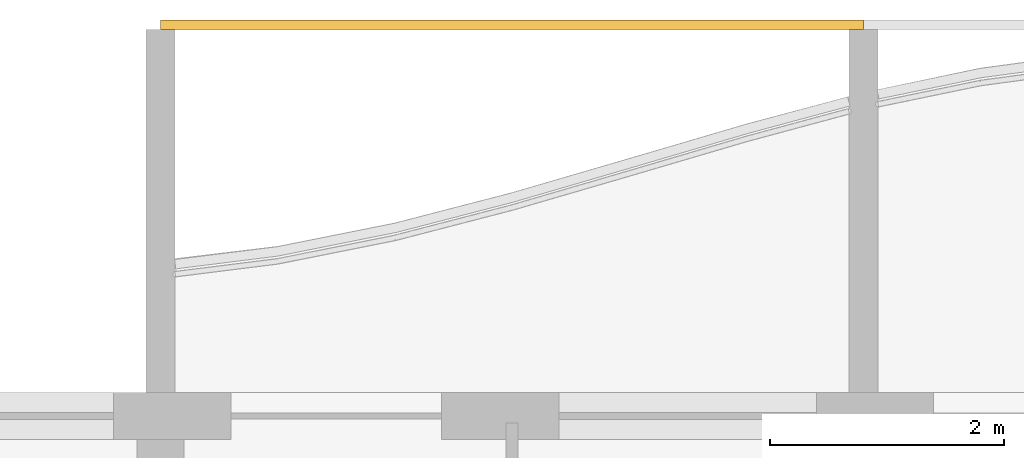
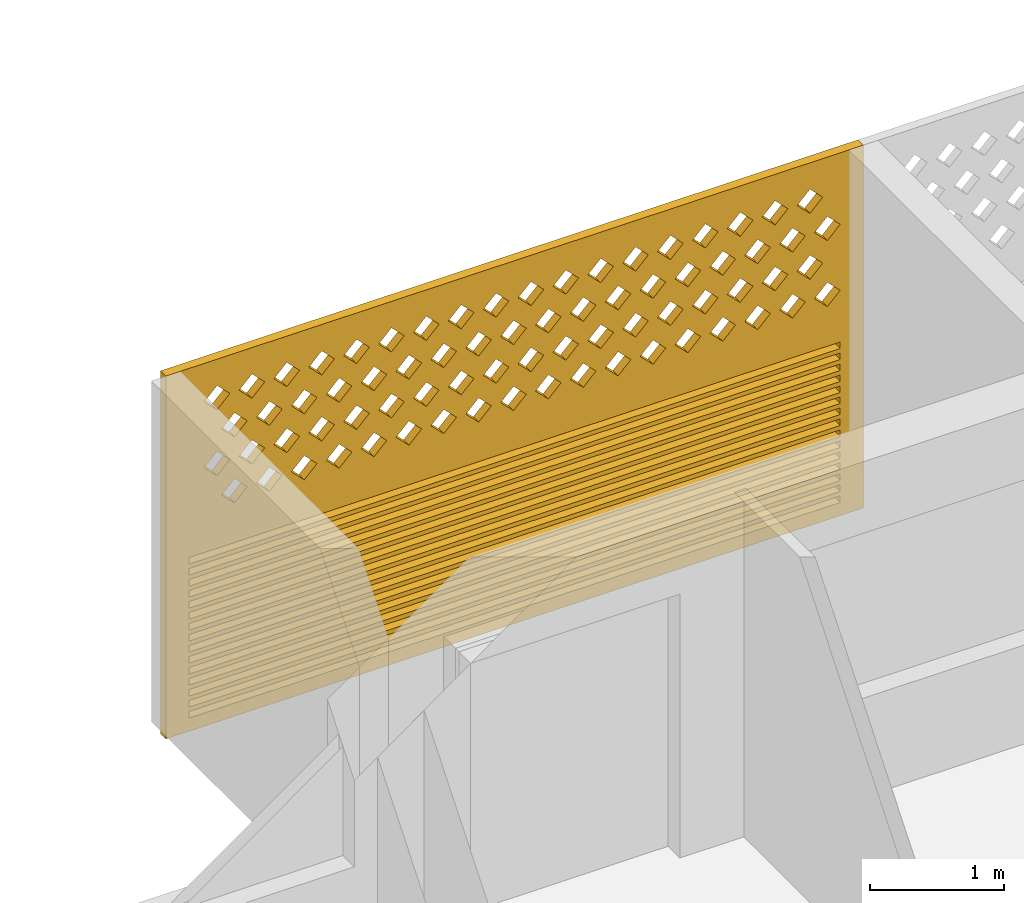
# One storey, part 26 of 39: 1 covering.
"""IFC4 building model written with IfcOpenShell, lengths in metres."""

from ifc_helpers import new_model, si_unit, direction, frame, origin, place, context, subcontext, project, spatial, polyline, outline, extrude, source, transform, mapped, material, material_profile, profile_set, type_object, element, save


model = new_model("IFC4")

# Units and contexts
model_context = context("Model", 3, precision=1e-05, world=origin(), true_north=direction((0.0, 1.0)))
body_context = subcontext(model_context, "Body", "Model", "MODEL_VIEW")
ifc_project = project(units=[si_unit("LENGTHUNIT", "METRE"), si_unit("AREAUNIT", "SQUARE_METRE"), si_unit("VOLUMEUNIT", "CUBIC_METRE"), si_unit("PLANEANGLEUNIT", "RADIAN"), si_unit("MASSUNIT", "GRAM", prefix="KILO")], contexts=[model_context])

# Site, building, storey
site_placement = place(None, origin())
site = spatial("IfcSite", under=ifc_project, at=site_placement, CompositionType="ELEMENT")
building_placement = place(site_placement, origin())
building = spatial("IfcBuilding", under=site, at=building_placement, Name="Poui Terraces", CompositionType="ELEMENT")
storey_placement = place(building_placement, frame((0.0, 0.0, 56.39990234375)))
storey = spatial("IfcBuildingStorey", under=building, at=storey_placement, Name="L15", CompositionType="ELEMENT", Elevation=56.39990234375)

# Covering
ifc_material = material(Name="Terracotta screen", Category="masonry")
ifc_material_profile = material_profile(ifc_material, outline(polyline([(-3.0, -1.64990234375), (3.0, -1.64990234375), (3.0, 1.64990234375), (-3.0, 1.64990234375), (-3.0, -1.64990234375)]), holes=[polyline([(-2.800048828125, 0.39990234375), (-2.68994140625, 0.2900390625), (-2.580078125, 0.39990234375), (-2.68994140625, 0.510009765625), (-2.800048828125, 0.39990234375)]), polyline([(-2.5, 0.39990234375), (-2.389892578125, 0.2900390625), (-2.280029296875, 0.39990234375), (-2.389892578125, 0.510009765625), (-2.5, 0.39990234375)]), polyline([(-2.199951171875, 0.39990234375), (-2.090087890625, 0.2900390625), (-1.97998046875, 0.39990234375), (-2.090087890625, 0.510009765625), (-2.199951171875, 0.39990234375)]), polyline([(-1.89990234375, 0.39990234375), (-1.7900390625, 0.2900390625), (-1.679931640625, 0.39990234375), (-1.7900390625, 0.510009765625), (-1.89990234375, 0.39990234375)]), polyline([(-1.60009765625, 0.39990234375), (-1.489990234375, 0.2900390625), (-1.3798828125, 0.39990234375), (-1.489990234375, 0.510009765625), (-1.60009765625, 0.39990234375)]), polyline([(-1.300048828125, 0.39990234375), (-1.18994140625, 0.2900390625), (-1.080078125, 0.39990234375), (-1.18994140625, 0.510009765625), (-1.300048828125, 0.39990234375)]), polyline([(-1.0, 0.39990234375), (-0.889892578125, 0.2900390625), (-0.780029296875, 0.39990234375), (-0.889892578125, 0.510009765625), (-1.0, 0.39990234375)]), polyline([(-0.699951171875, 0.39990234375), (-0.590087890625, 0.2900390625), (-0.47998046875, 0.39990234375), (-0.590087890625, 0.510009765625), (-0.699951171875, 0.39990234375)]), polyline([(-0.39990234375, 0.39990234375), (-0.2900390625, 0.2900390625), (-0.179931640625, 0.39990234375), (-0.2900390625, 0.510009765625), (-0.39990234375, 0.39990234375)]), polyline([(-0.10009765625, 0.39990234375), (0.010009765625, 0.2900390625), (0.1201171875, 0.39990234375), (0.010009765625, 0.510009765625), (-0.10009765625, 0.39990234375)]), polyline([(0.199951171875, 0.39990234375), (0.31005859375, 0.2900390625), (0.419921875, 0.39990234375), (0.31005859375, 0.510009765625), (0.199951171875, 0.39990234375)]), polyline([(0.5, 0.39990234375), (0.610107421875, 0.2900390625), (0.719970703125, 0.39990234375), (0.610107421875, 0.510009765625), (0.5, 0.39990234375)]), polyline([(0.800048828125, 0.39990234375), (0.909912109375, 0.2900390625), (1.02001953125, 0.39990234375), (0.909912109375, 0.510009765625), (0.800048828125, 0.39990234375)]), polyline([(1.10009765625, 0.39990234375), (1.2099609375, 0.2900390625), (1.320068359375, 0.39990234375), (1.2099609375, 0.510009765625), (1.10009765625, 0.39990234375)]), polyline([(1.39990234375, 0.39990234375), (1.510009765625, 0.2900390625), (1.6201171875, 0.39990234375), (1.510009765625, 0.510009765625), (1.39990234375, 0.39990234375)]), polyline([(1.699951171875, 0.39990234375), (1.81005859375, 0.2900390625), (1.919921875, 0.39990234375), (1.81005859375, 0.510009765625), (1.699951171875, 0.39990234375)]), polyline([(2.0, 0.39990234375), (2.110107421875, 0.2900390625), (2.219970703125, 0.39990234375), (2.110107421875, 0.510009765625), (2.0, 0.39990234375)]), polyline([(2.300048828125, 0.39990234375), (2.409912109375, 0.2900390625), (2.52001953125, 0.39990234375), (2.409912109375, 0.510009765625), (2.300048828125, 0.39990234375)]), polyline([(-2.64990234375, 0.699951171875), (-2.5400390625, 0.590087890625), (-2.429931640625, 0.699951171875), (-2.5400390625, 0.81005859375), (-2.64990234375, 0.699951171875)]), polyline([(-2.35009765625, 0.699951171875), (-2.239990234375, 0.590087890625), (-2.1298828125, 0.699951171875), (-2.239990234375, 0.81005859375), (-2.35009765625, 0.699951171875)]), polyline([(-2.050048828125, 0.699951171875), (-1.93994140625, 0.590087890625), (-1.830078125, 0.699951171875), (-1.93994140625, 0.81005859375), (-2.050048828125, 0.699951171875)]), polyline([(-1.75, 0.699951171875), (-1.639892578125, 0.590087890625), (-1.530029296875, 0.699951171875), (-1.639892578125, 0.81005859375), (-1.75, 0.699951171875)]), polyline([(-1.449951171875, 0.699951171875), (-1.340087890625, 0.590087890625), (-1.22998046875, 0.699951171875), (-1.340087890625, 0.81005859375), (-1.449951171875, 0.699951171875)]), polyline([(-1.14990234375, 0.699951171875), (-1.0400390625, 0.590087890625), (-0.929931640625, 0.699951171875), (-1.0400390625, 0.81005859375), (-1.14990234375, 0.699951171875)]), polyline([(-0.85009765625, 0.699951171875), (-0.739990234375, 0.590087890625), (-0.6298828125, 0.699951171875), (-0.739990234375, 0.81005859375), (-0.85009765625, 0.699951171875)]), polyline([(-0.550048828125, 0.699951171875), (-0.43994140625, 0.590087890625), (-0.330078125, 0.699951171875), (-0.43994140625, 0.81005859375), (-0.550048828125, 0.699951171875)]), polyline([(-0.25, 0.699951171875), (-0.139892578125, 0.590087890625), (-0.030029296875, 0.699951171875), (-0.139892578125, 0.81005859375), (-0.25, 0.699951171875)]), polyline([(0.050048828125, 0.699951171875), (0.159912109375, 0.590087890625), (0.27001953125, 0.699951171875), (0.159912109375, 0.81005859375), (0.050048828125, 0.699951171875)]), polyline([(0.35009765625, 0.699951171875), (0.4599609375, 0.590087890625), (0.570068359375, 0.699951171875), (0.4599609375, 0.81005859375), (0.35009765625, 0.699951171875)]), polyline([(0.64990234375, 0.699951171875), (0.760009765625, 0.590087890625), (0.8701171875, 0.699951171875), (0.760009765625, 0.81005859375), (0.64990234375, 0.699951171875)]), polyline([(0.949951171875, 0.699951171875), (1.06005859375, 0.590087890625), (1.169921875, 0.699951171875), (1.06005859375, 0.81005859375), (0.949951171875, 0.699951171875)]), polyline([(1.25, 0.699951171875), (1.360107421875, 0.590087890625), (1.469970703125, 0.699951171875), (1.360107421875, 0.81005859375), (1.25, 0.699951171875)]), polyline([(1.550048828125, 0.699951171875), (1.659912109375, 0.590087890625), (1.77001953125, 0.699951171875), (1.659912109375, 0.81005859375), (1.550048828125, 0.699951171875)]), polyline([(1.85009765625, 0.699951171875), (1.9599609375, 0.590087890625), (2.070068359375, 0.699951171875), (1.9599609375, 0.81005859375), (1.85009765625, 0.699951171875)]), polyline([(2.14990234375, 0.699951171875), (2.260009765625, 0.590087890625), (2.3701171875, 0.699951171875), (2.260009765625, 0.81005859375), (2.14990234375, 0.699951171875)]), polyline([(2.449951171875, 0.699951171875), (2.56005859375, 0.590087890625), (2.669921875, 0.699951171875), (2.56005859375, 0.81005859375), (2.449951171875, 0.699951171875)]), polyline([(-2.800048828125, 1.0), (-2.68994140625, 0.889892578125), (-2.580078125, 1.0), (-2.68994140625, 1.110107421875), (-2.800048828125, 1.0)]), polyline([(-2.5, 1.0), (-2.389892578125, 0.889892578125), (-2.280029296875, 1.0), (-2.389892578125, 1.110107421875), (-2.5, 1.0)]), polyline([(-2.199951171875, 1.0), (-2.090087890625, 0.889892578125), (-1.97998046875, 1.0), (-2.090087890625, 1.110107421875), (-2.199951171875, 1.0)]), polyline([(-1.89990234375, 1.0), (-1.7900390625, 0.889892578125), (-1.679931640625, 1.0), (-1.7900390625, 1.110107421875), (-1.89990234375, 1.0)]), polyline([(-1.60009765625, 1.0), (-1.489990234375, 0.889892578125), (-1.3798828125, 1.0), (-1.489990234375, 1.110107421875), (-1.60009765625, 1.0)]), polyline([(-1.300048828125, 1.0), (-1.18994140625, 0.889892578125), (-1.080078125, 1.0), (-1.18994140625, 1.110107421875), (-1.300048828125, 1.0)]), polyline([(-1.0, 1.0), (-0.889892578125, 0.889892578125), (-0.780029296875, 1.0), (-0.889892578125, 1.110107421875), (-1.0, 1.0)]), polyline([(-0.699951171875, 1.0), (-0.590087890625, 0.889892578125), (-0.47998046875, 1.0), (-0.590087890625, 1.110107421875), (-0.699951171875, 1.0)]), polyline([(-0.39990234375, 1.0), (-0.2900390625, 0.889892578125), (-0.179931640625, 1.0), (-0.2900390625, 1.110107421875), (-0.39990234375, 1.0)]), polyline([(-0.10009765625, 1.0), (0.010009765625, 0.889892578125), (0.1201171875, 1.0), (0.010009765625, 1.110107421875), (-0.10009765625, 1.0)]), polyline([(0.199951171875, 1.0), (0.31005859375, 0.889892578125), (0.419921875, 1.0), (0.31005859375, 1.110107421875), (0.199951171875, 1.0)]), polyline([(0.5, 1.0), (0.610107421875, 0.889892578125), (0.719970703125, 1.0), (0.610107421875, 1.110107421875), (0.5, 1.0)]), polyline([(0.800048828125, 1.0), (0.909912109375, 0.889892578125), (1.02001953125, 1.0), (0.909912109375, 1.110107421875), (0.800048828125, 1.0)]), polyline([(1.10009765625, 1.0), (1.2099609375, 0.889892578125), (1.320068359375, 1.0), (1.2099609375, 1.110107421875), (1.10009765625, 1.0)]), polyline([(1.39990234375, 1.0), (1.510009765625, 0.889892578125), (1.6201171875, 1.0), (1.510009765625, 1.110107421875), (1.39990234375, 1.0)]), polyline([(1.699951171875, 1.0), (1.81005859375, 0.889892578125), (1.919921875, 1.0), (1.81005859375, 1.110107421875), (1.699951171875, 1.0)]), polyline([(2.0, 1.0), (2.110107421875, 0.889892578125), (2.219970703125, 1.0), (2.110107421875, 1.110107421875), (2.0, 1.0)]), polyline([(2.300048828125, 1.0), (2.409912109375, 0.889892578125), (2.52001953125, 1.0), (2.409912109375, 1.110107421875), (2.300048828125, 1.0)]), polyline([(-2.64990234375, 1.300048828125), (-2.5400390625, 1.18994140625), (-2.429931640625, 1.300048828125), (-2.5400390625, 1.409912109375), (-2.64990234375, 1.300048828125)]), polyline([(-2.35009765625, 1.300048828125), (-2.239990234375, 1.18994140625), (-2.1298828125, 1.300048828125), (-2.239990234375, 1.409912109375), (-2.35009765625, 1.300048828125)]), polyline([(-2.050048828125, 1.300048828125), (-1.93994140625, 1.18994140625), (-1.830078125, 1.300048828125), (-1.93994140625, 1.409912109375), (-2.050048828125, 1.300048828125)]), polyline([(-1.75, 1.300048828125), (-1.639892578125, 1.18994140625), (-1.530029296875, 1.300048828125), (-1.639892578125, 1.409912109375), (-1.75, 1.300048828125)]), polyline([(-1.449951171875, 1.300048828125), (-1.340087890625, 1.18994140625), (-1.22998046875, 1.300048828125), (-1.340087890625, 1.409912109375), (-1.449951171875, 1.300048828125)]), polyline([(-1.14990234375, 1.300048828125), (-1.0400390625, 1.18994140625), (-0.929931640625, 1.300048828125), (-1.0400390625, 1.409912109375), (-1.14990234375, 1.300048828125)]), polyline([(-0.85009765625, 1.300048828125), (-0.739990234375, 1.18994140625), (-0.6298828125, 1.300048828125), (-0.739990234375, 1.409912109375), (-0.85009765625, 1.300048828125)]), polyline([(-0.550048828125, 1.300048828125), (-0.43994140625, 1.18994140625), (-0.330078125, 1.300048828125), (-0.43994140625, 1.409912109375), (-0.550048828125, 1.300048828125)]), polyline([(-0.25, 1.300048828125), (-0.139892578125, 1.18994140625), (-0.030029296875, 1.300048828125), (-0.139892578125, 1.409912109375), (-0.25, 1.300048828125)]), polyline([(0.050048828125, 1.300048828125), (0.159912109375, 1.18994140625), (0.27001953125, 1.300048828125), (0.159912109375, 1.409912109375), (0.050048828125, 1.300048828125)]), polyline([(0.35009765625, 1.300048828125), (0.4599609375, 1.18994140625), (0.570068359375, 1.300048828125), (0.4599609375, 1.409912109375), (0.35009765625, 1.300048828125)]), polyline([(0.64990234375, 1.300048828125), (0.760009765625, 1.18994140625), (0.8701171875, 1.300048828125), (0.760009765625, 1.409912109375), (0.64990234375, 1.300048828125)]), polyline([(0.949951171875, 1.300048828125), (1.06005859375, 1.18994140625), (1.169921875, 1.300048828125), (1.06005859375, 1.409912109375), (0.949951171875, 1.300048828125)]), polyline([(1.25, 1.300048828125), (1.360107421875, 1.18994140625), (1.469970703125, 1.300048828125), (1.360107421875, 1.409912109375), (1.25, 1.300048828125)]), polyline([(1.550048828125, 1.300048828125), (1.659912109375, 1.18994140625), (1.77001953125, 1.300048828125), (1.659912109375, 1.409912109375), (1.550048828125, 1.300048828125)]), polyline([(1.85009765625, 1.300048828125), (1.9599609375, 1.18994140625), (2.070068359375, 1.300048828125), (1.9599609375, 1.409912109375), (1.85009765625, 1.300048828125)]), polyline([(2.14990234375, 1.300048828125), (2.260009765625, 1.18994140625), (2.3701171875, 1.300048828125), (2.260009765625, 1.409912109375), (2.14990234375, 1.300048828125)]), polyline([(2.449951171875, 1.300048828125), (2.56005859375, 1.18994140625), (2.669921875, 1.300048828125), (2.56005859375, 1.409912109375), (2.449951171875, 1.300048828125)]), polyline([(-2.800048828125, -1.530029296875), (2.800048828125, -1.530029296875), (2.800048828125, -1.469970703125), (-2.800048828125, -1.469970703125), (-2.800048828125, -1.530029296875)]), polyline([(-2.800048828125, -1.429931640625), (2.800048828125, -1.429931640625), (2.800048828125, -1.3701171875), (-2.800048828125, -1.3701171875), (-2.800048828125, -1.429931640625)]), polyline([(-2.800048828125, -1.330078125), (2.800048828125, -1.330078125), (2.800048828125, -1.27001953125), (-2.800048828125, -1.27001953125), (-2.800048828125, -1.330078125)]), polyline([(-2.800048828125, -1.22998046875), (2.800048828125, -1.22998046875), (2.800048828125, -1.169921875), (-2.800048828125, -1.169921875), (-2.800048828125, -1.22998046875)]), polyline([(-2.800048828125, -1.1298828125), (2.800048828125, -1.1298828125), (2.800048828125, -1.070068359375), (-2.800048828125, -1.070068359375), (-2.800048828125, -1.1298828125)]), polyline([(-2.800048828125, -1.030029296875), (2.800048828125, -1.030029296875), (2.800048828125, -0.969970703125), (-2.800048828125, -0.969970703125), (-2.800048828125, -1.030029296875)]), polyline([(-2.800048828125, -0.929931640625), (2.800048828125, -0.929931640625), (2.800048828125, -0.8701171875), (-2.800048828125, -0.8701171875), (-2.800048828125, -0.929931640625)]), polyline([(-2.800048828125, -0.830078125), (2.800048828125, -0.830078125), (2.800048828125, -0.77001953125), (-2.800048828125, -0.77001953125), (-2.800048828125, -0.830078125)]), polyline([(-2.800048828125, -0.72998046875), (2.800048828125, -0.72998046875), (2.800048828125, -0.669921875), (-2.800048828125, -0.669921875), (-2.800048828125, -0.72998046875)]), polyline([(-2.800048828125, -0.6298828125), (2.800048828125, -0.6298828125), (2.800048828125, -0.570068359375), (-2.800048828125, -0.570068359375), (-2.800048828125, -0.6298828125)]), polyline([(-2.800048828125, -0.530029296875), (2.800048828125, -0.530029296875), (2.800048828125, -0.469970703125), (-2.800048828125, -0.469970703125), (-2.800048828125, -0.530029296875)]), polyline([(-2.800048828125, -0.429931640625), (2.800048828125, -0.429931640625), (2.800048828125, -0.3701171875), (-2.800048828125, -0.3701171875), (-2.800048828125, -0.429931640625)]), polyline([(-2.800048828125, -0.330078125), (2.800048828125, -0.330078125), (2.800048828125, -0.27001953125), (-2.800048828125, -0.27001953125), (-2.800048828125, -0.330078125)]), polyline([(-2.800048828125, -0.22998046875), (2.800048828125, -0.22998046875), (2.800048828125, -0.169921875), (-2.800048828125, -0.169921875), (-2.800048828125, -0.22998046875)]), polyline([(-2.800048828125, -0.1298828125), (2.800048828125, -0.1298828125), (2.800048828125, -0.070068359375), (-2.800048828125, -0.070068359375), (-2.800048828125, -0.1298828125)])]), Name="TERRACOTTA SCREEN AND JALOUSIE LOUVRE 6000X3300")
ifc_profile_set = profile_set([ifc_material_profile], Name="Terracotta screen")
covering_type = type_object("IfcCoveringType", Name="TERRACOTTA SCREEN AND JALOUSIE LOUVRE 6000X3300", PredefinedType="CLADDING", material=ifc_profile_set)
shared_shape = source(origin(), body_context, "Body", "SweptSolid", [
    extrude(outline(polyline([(-3.0, -1.64990234375), (3.0, -1.64990234375), (3.0, 1.64990234375), (-3.0, 1.64990234375), (-3.0, -1.64990234375)]), holes=[polyline([(-2.800048828125, 0.39990234375), (-2.68994140625, 0.2900390625), (-2.580078125, 0.39990234375), (-2.68994140625, 0.510009765625), (-2.800048828125, 0.39990234375)]), polyline([(-2.5, 0.39990234375), (-2.389892578125, 0.2900390625), (-2.280029296875, 0.39990234375), (-2.389892578125, 0.510009765625), (-2.5, 0.39990234375)]), polyline([(-2.199951171875, 0.39990234375), (-2.090087890625, 0.2900390625), (-1.97998046875, 0.39990234375), (-2.090087890625, 0.510009765625), (-2.199951171875, 0.39990234375)]), polyline([(-1.89990234375, 0.39990234375), (-1.7900390625, 0.2900390625), (-1.679931640625, 0.39990234375), (-1.7900390625, 0.510009765625), (-1.89990234375, 0.39990234375)]), polyline([(-1.60009765625, 0.39990234375), (-1.489990234375, 0.2900390625), (-1.3798828125, 0.39990234375), (-1.489990234375, 0.510009765625), (-1.60009765625, 0.39990234375)]), polyline([(-1.300048828125, 0.39990234375), (-1.18994140625, 0.2900390625), (-1.080078125, 0.39990234375), (-1.18994140625, 0.510009765625), (-1.300048828125, 0.39990234375)]), polyline([(-1.0, 0.39990234375), (-0.889892578125, 0.2900390625), (-0.780029296875, 0.39990234375), (-0.889892578125, 0.510009765625), (-1.0, 0.39990234375)]), polyline([(-0.699951171875, 0.39990234375), (-0.590087890625, 0.2900390625), (-0.47998046875, 0.39990234375), (-0.590087890625, 0.510009765625), (-0.699951171875, 0.39990234375)]), polyline([(-0.39990234375, 0.39990234375), (-0.2900390625, 0.2900390625), (-0.179931640625, 0.39990234375), (-0.2900390625, 0.510009765625), (-0.39990234375, 0.39990234375)]), polyline([(-0.10009765625, 0.39990234375), (0.010009765625, 0.2900390625), (0.1201171875, 0.39990234375), (0.010009765625, 0.510009765625), (-0.10009765625, 0.39990234375)]), polyline([(0.199951171875, 0.39990234375), (0.31005859375, 0.2900390625), (0.419921875, 0.39990234375), (0.31005859375, 0.510009765625), (0.199951171875, 0.39990234375)]), polyline([(0.5, 0.39990234375), (0.610107421875, 0.2900390625), (0.719970703125, 0.39990234375), (0.610107421875, 0.510009765625), (0.5, 0.39990234375)]), polyline([(0.800048828125, 0.39990234375), (0.909912109375, 0.2900390625), (1.02001953125, 0.39990234375), (0.909912109375, 0.510009765625), (0.800048828125, 0.39990234375)]), polyline([(1.10009765625, 0.39990234375), (1.2099609375, 0.2900390625), (1.320068359375, 0.39990234375), (1.2099609375, 0.510009765625), (1.10009765625, 0.39990234375)]), polyline([(1.39990234375, 0.39990234375), (1.510009765625, 0.2900390625), (1.6201171875, 0.39990234375), (1.510009765625, 0.510009765625), (1.39990234375, 0.39990234375)]), polyline([(1.699951171875, 0.39990234375), (1.81005859375, 0.2900390625), (1.919921875, 0.39990234375), (1.81005859375, 0.510009765625), (1.699951171875, 0.39990234375)]), polyline([(2.0, 0.39990234375), (2.110107421875, 0.2900390625), (2.219970703125, 0.39990234375), (2.110107421875, 0.510009765625), (2.0, 0.39990234375)]), polyline([(2.300048828125, 0.39990234375), (2.409912109375, 0.2900390625), (2.52001953125, 0.39990234375), (2.409912109375, 0.510009765625), (2.300048828125, 0.39990234375)]), polyline([(-2.64990234375, 0.699951171875), (-2.5400390625, 0.590087890625), (-2.429931640625, 0.699951171875), (-2.5400390625, 0.81005859375), (-2.64990234375, 0.699951171875)]), polyline([(-2.35009765625, 0.699951171875), (-2.239990234375, 0.590087890625), (-2.1298828125, 0.699951171875), (-2.239990234375, 0.81005859375), (-2.35009765625, 0.699951171875)]), polyline([(-2.050048828125, 0.699951171875), (-1.93994140625, 0.590087890625), (-1.830078125, 0.699951171875), (-1.93994140625, 0.81005859375), (-2.050048828125, 0.699951171875)]), polyline([(-1.75, 0.699951171875), (-1.639892578125, 0.590087890625), (-1.530029296875, 0.699951171875), (-1.639892578125, 0.81005859375), (-1.75, 0.699951171875)]), polyline([(-1.449951171875, 0.699951171875), (-1.340087890625, 0.590087890625), (-1.22998046875, 0.699951171875), (-1.340087890625, 0.81005859375), (-1.449951171875, 0.699951171875)]), polyline([(-1.14990234375, 0.699951171875), (-1.0400390625, 0.590087890625), (-0.929931640625, 0.699951171875), (-1.0400390625, 0.81005859375), (-1.14990234375, 0.699951171875)]), polyline([(-0.85009765625, 0.699951171875), (-0.739990234375, 0.590087890625), (-0.6298828125, 0.699951171875), (-0.739990234375, 0.81005859375), (-0.85009765625, 0.699951171875)]), polyline([(-0.550048828125, 0.699951171875), (-0.43994140625, 0.590087890625), (-0.330078125, 0.699951171875), (-0.43994140625, 0.81005859375), (-0.550048828125, 0.699951171875)]), polyline([(-0.25, 0.699951171875), (-0.139892578125, 0.590087890625), (-0.030029296875, 0.699951171875), (-0.139892578125, 0.81005859375), (-0.25, 0.699951171875)]), polyline([(0.050048828125, 0.699951171875), (0.159912109375, 0.590087890625), (0.27001953125, 0.699951171875), (0.159912109375, 0.81005859375), (0.050048828125, 0.699951171875)]), polyline([(0.35009765625, 0.699951171875), (0.4599609375, 0.590087890625), (0.570068359375, 0.699951171875), (0.4599609375, 0.81005859375), (0.35009765625, 0.699951171875)]), polyline([(0.64990234375, 0.699951171875), (0.760009765625, 0.590087890625), (0.8701171875, 0.699951171875), (0.760009765625, 0.81005859375), (0.64990234375, 0.699951171875)]), polyline([(0.949951171875, 0.699951171875), (1.06005859375, 0.590087890625), (1.169921875, 0.699951171875), (1.06005859375, 0.81005859375), (0.949951171875, 0.699951171875)]), polyline([(1.25, 0.699951171875), (1.360107421875, 0.590087890625), (1.469970703125, 0.699951171875), (1.360107421875, 0.81005859375), (1.25, 0.699951171875)]), polyline([(1.550048828125, 0.699951171875), (1.659912109375, 0.590087890625), (1.77001953125, 0.699951171875), (1.659912109375, 0.81005859375), (1.550048828125, 0.699951171875)]), polyline([(1.85009765625, 0.699951171875), (1.9599609375, 0.590087890625), (2.070068359375, 0.699951171875), (1.9599609375, 0.81005859375), (1.85009765625, 0.699951171875)]), polyline([(2.14990234375, 0.699951171875), (2.260009765625, 0.590087890625), (2.3701171875, 0.699951171875), (2.260009765625, 0.81005859375), (2.14990234375, 0.699951171875)]), polyline([(2.449951171875, 0.699951171875), (2.56005859375, 0.590087890625), (2.669921875, 0.699951171875), (2.56005859375, 0.81005859375), (2.449951171875, 0.699951171875)]), polyline([(-2.800048828125, 1.0), (-2.68994140625, 0.889892578125), (-2.580078125, 1.0), (-2.68994140625, 1.110107421875), (-2.800048828125, 1.0)]), polyline([(-2.5, 1.0), (-2.389892578125, 0.889892578125), (-2.280029296875, 1.0), (-2.389892578125, 1.110107421875), (-2.5, 1.0)]), polyline([(-2.199951171875, 1.0), (-2.090087890625, 0.889892578125), (-1.97998046875, 1.0), (-2.090087890625, 1.110107421875), (-2.199951171875, 1.0)]), polyline([(-1.89990234375, 1.0), (-1.7900390625, 0.889892578125), (-1.679931640625, 1.0), (-1.7900390625, 1.110107421875), (-1.89990234375, 1.0)]), polyline([(-1.60009765625, 1.0), (-1.489990234375, 0.889892578125), (-1.3798828125, 1.0), (-1.489990234375, 1.110107421875), (-1.60009765625, 1.0)]), polyline([(-1.300048828125, 1.0), (-1.18994140625, 0.889892578125), (-1.080078125, 1.0), (-1.18994140625, 1.110107421875), (-1.300048828125, 1.0)]), polyline([(-1.0, 1.0), (-0.889892578125, 0.889892578125), (-0.780029296875, 1.0), (-0.889892578125, 1.110107421875), (-1.0, 1.0)]), polyline([(-0.699951171875, 1.0), (-0.590087890625, 0.889892578125), (-0.47998046875, 1.0), (-0.590087890625, 1.110107421875), (-0.699951171875, 1.0)]), polyline([(-0.39990234375, 1.0), (-0.2900390625, 0.889892578125), (-0.179931640625, 1.0), (-0.2900390625, 1.110107421875), (-0.39990234375, 1.0)]), polyline([(-0.10009765625, 1.0), (0.010009765625, 0.889892578125), (0.1201171875, 1.0), (0.010009765625, 1.110107421875), (-0.10009765625, 1.0)]), polyline([(0.199951171875, 1.0), (0.31005859375, 0.889892578125), (0.419921875, 1.0), (0.31005859375, 1.110107421875), (0.199951171875, 1.0)]), polyline([(0.5, 1.0), (0.610107421875, 0.889892578125), (0.719970703125, 1.0), (0.610107421875, 1.110107421875), (0.5, 1.0)]), polyline([(0.800048828125, 1.0), (0.909912109375, 0.889892578125), (1.02001953125, 1.0), (0.909912109375, 1.110107421875), (0.800048828125, 1.0)]), polyline([(1.10009765625, 1.0), (1.2099609375, 0.889892578125), (1.320068359375, 1.0), (1.2099609375, 1.110107421875), (1.10009765625, 1.0)]), polyline([(1.39990234375, 1.0), (1.510009765625, 0.889892578125), (1.6201171875, 1.0), (1.510009765625, 1.110107421875), (1.39990234375, 1.0)]), polyline([(1.699951171875, 1.0), (1.81005859375, 0.889892578125), (1.919921875, 1.0), (1.81005859375, 1.110107421875), (1.699951171875, 1.0)]), polyline([(2.0, 1.0), (2.110107421875, 0.889892578125), (2.219970703125, 1.0), (2.110107421875, 1.110107421875), (2.0, 1.0)]), polyline([(2.300048828125, 1.0), (2.409912109375, 0.889892578125), (2.52001953125, 1.0), (2.409912109375, 1.110107421875), (2.300048828125, 1.0)]), polyline([(-2.64990234375, 1.300048828125), (-2.5400390625, 1.18994140625), (-2.429931640625, 1.300048828125), (-2.5400390625, 1.409912109375), (-2.64990234375, 1.300048828125)]), polyline([(-2.35009765625, 1.300048828125), (-2.239990234375, 1.18994140625), (-2.1298828125, 1.300048828125), (-2.239990234375, 1.409912109375), (-2.35009765625, 1.300048828125)]), polyline([(-2.050048828125, 1.300048828125), (-1.93994140625, 1.18994140625), (-1.830078125, 1.300048828125), (-1.93994140625, 1.409912109375), (-2.050048828125, 1.300048828125)]), polyline([(-1.75, 1.300048828125), (-1.639892578125, 1.18994140625), (-1.530029296875, 1.300048828125), (-1.639892578125, 1.409912109375), (-1.75, 1.300048828125)]), polyline([(-1.449951171875, 1.300048828125), (-1.340087890625, 1.18994140625), (-1.22998046875, 1.300048828125), (-1.340087890625, 1.409912109375), (-1.449951171875, 1.300048828125)]), polyline([(-1.14990234375, 1.300048828125), (-1.0400390625, 1.18994140625), (-0.929931640625, 1.300048828125), (-1.0400390625, 1.409912109375), (-1.14990234375, 1.300048828125)]), polyline([(-0.85009765625, 1.300048828125), (-0.739990234375, 1.18994140625), (-0.6298828125, 1.300048828125), (-0.739990234375, 1.409912109375), (-0.85009765625, 1.300048828125)]), polyline([(-0.550048828125, 1.300048828125), (-0.43994140625, 1.18994140625), (-0.330078125, 1.300048828125), (-0.43994140625, 1.409912109375), (-0.550048828125, 1.300048828125)]), polyline([(-0.25, 1.300048828125), (-0.139892578125, 1.18994140625), (-0.030029296875, 1.300048828125), (-0.139892578125, 1.409912109375), (-0.25, 1.300048828125)]), polyline([(0.050048828125, 1.300048828125), (0.159912109375, 1.18994140625), (0.27001953125, 1.300048828125), (0.159912109375, 1.409912109375), (0.050048828125, 1.300048828125)]), polyline([(0.35009765625, 1.300048828125), (0.4599609375, 1.18994140625), (0.570068359375, 1.300048828125), (0.4599609375, 1.409912109375), (0.35009765625, 1.300048828125)]), polyline([(0.64990234375, 1.300048828125), (0.760009765625, 1.18994140625), (0.8701171875, 1.300048828125), (0.760009765625, 1.409912109375), (0.64990234375, 1.300048828125)]), polyline([(0.949951171875, 1.300048828125), (1.06005859375, 1.18994140625), (1.169921875, 1.300048828125), (1.06005859375, 1.409912109375), (0.949951171875, 1.300048828125)]), polyline([(1.25, 1.300048828125), (1.360107421875, 1.18994140625), (1.469970703125, 1.300048828125), (1.360107421875, 1.409912109375), (1.25, 1.300048828125)]), polyline([(1.550048828125, 1.300048828125), (1.659912109375, 1.18994140625), (1.77001953125, 1.300048828125), (1.659912109375, 1.409912109375), (1.550048828125, 1.300048828125)]), polyline([(1.85009765625, 1.300048828125), (1.9599609375, 1.18994140625), (2.070068359375, 1.300048828125), (1.9599609375, 1.409912109375), (1.85009765625, 1.300048828125)]), polyline([(2.14990234375, 1.300048828125), (2.260009765625, 1.18994140625), (2.3701171875, 1.300048828125), (2.260009765625, 1.409912109375), (2.14990234375, 1.300048828125)]), polyline([(2.449951171875, 1.300048828125), (2.56005859375, 1.18994140625), (2.669921875, 1.300048828125), (2.56005859375, 1.409912109375), (2.449951171875, 1.300048828125)]), polyline([(-2.800048828125, -1.530029296875), (2.800048828125, -1.530029296875), (2.800048828125, -1.469970703125), (-2.800048828125, -1.469970703125), (-2.800048828125, -1.530029296875)]), polyline([(-2.800048828125, -1.429931640625), (2.800048828125, -1.429931640625), (2.800048828125, -1.3701171875), (-2.800048828125, -1.3701171875), (-2.800048828125, -1.429931640625)]), polyline([(-2.800048828125, -1.330078125), (2.800048828125, -1.330078125), (2.800048828125, -1.27001953125), (-2.800048828125, -1.27001953125), (-2.800048828125, -1.330078125)]), polyline([(-2.800048828125, -1.22998046875), (2.800048828125, -1.22998046875), (2.800048828125, -1.169921875), (-2.800048828125, -1.169921875), (-2.800048828125, -1.22998046875)]), polyline([(-2.800048828125, -1.1298828125), (2.800048828125, -1.1298828125), (2.800048828125, -1.070068359375), (-2.800048828125, -1.070068359375), (-2.800048828125, -1.1298828125)]), polyline([(-2.800048828125, -1.030029296875), (2.800048828125, -1.030029296875), (2.800048828125, -0.969970703125), (-2.800048828125, -0.969970703125), (-2.800048828125, -1.030029296875)]), polyline([(-2.800048828125, -0.929931640625), (2.800048828125, -0.929931640625), (2.800048828125, -0.8701171875), (-2.800048828125, -0.8701171875), (-2.800048828125, -0.929931640625)]), polyline([(-2.800048828125, -0.830078125), (2.800048828125, -0.830078125), (2.800048828125, -0.77001953125), (-2.800048828125, -0.77001953125), (-2.800048828125, -0.830078125)]), polyline([(-2.800048828125, -0.72998046875), (2.800048828125, -0.72998046875), (2.800048828125, -0.669921875), (-2.800048828125, -0.669921875), (-2.800048828125, -0.72998046875)]), polyline([(-2.800048828125, -0.6298828125), (2.800048828125, -0.6298828125), (2.800048828125, -0.570068359375), (-2.800048828125, -0.570068359375), (-2.800048828125, -0.6298828125)]), polyline([(-2.800048828125, -0.530029296875), (2.800048828125, -0.530029296875), (2.800048828125, -0.469970703125), (-2.800048828125, -0.469970703125), (-2.800048828125, -0.530029296875)]), polyline([(-2.800048828125, -0.429931640625), (2.800048828125, -0.429931640625), (2.800048828125, -0.3701171875), (-2.800048828125, -0.3701171875), (-2.800048828125, -0.429931640625)]), polyline([(-2.800048828125, -0.330078125), (2.800048828125, -0.330078125), (2.800048828125, -0.27001953125), (-2.800048828125, -0.27001953125), (-2.800048828125, -0.330078125)]), polyline([(-2.800048828125, -0.22998046875), (2.800048828125, -0.22998046875), (2.800048828125, -0.169921875), (-2.800048828125, -0.169921875), (-2.800048828125, -0.22998046875)]), polyline([(-2.800048828125, -0.1298828125), (2.800048828125, -0.1298828125), (2.800048828125, -0.070068359375), (-2.800048828125, -0.070068359375), (-2.800048828125, -0.1298828125)])]), origin(), (0.0, 0.0, 1.0), 0.079833984375),
])
covering_placement = place(storey_placement, frame((39.0, 48.10009765625, 1.4501953125), z_axis=(0.0, 1.0, 0.0), x_axis=(-1.0, 0.0, 0.0)))
element("IfcCovering", 1, at=covering_placement, inside=storey, type_object=covering_type, Name="SOLAR SCREEN AND JALOUSIE LOUVRE", PredefinedType="CLADDING", context=body_context, shape_type="MappedRepresentation", body=[
    mapped(shared_shape, transform((0.0, 0.0, 0.0))),
])

save(model, "model.ifc")
